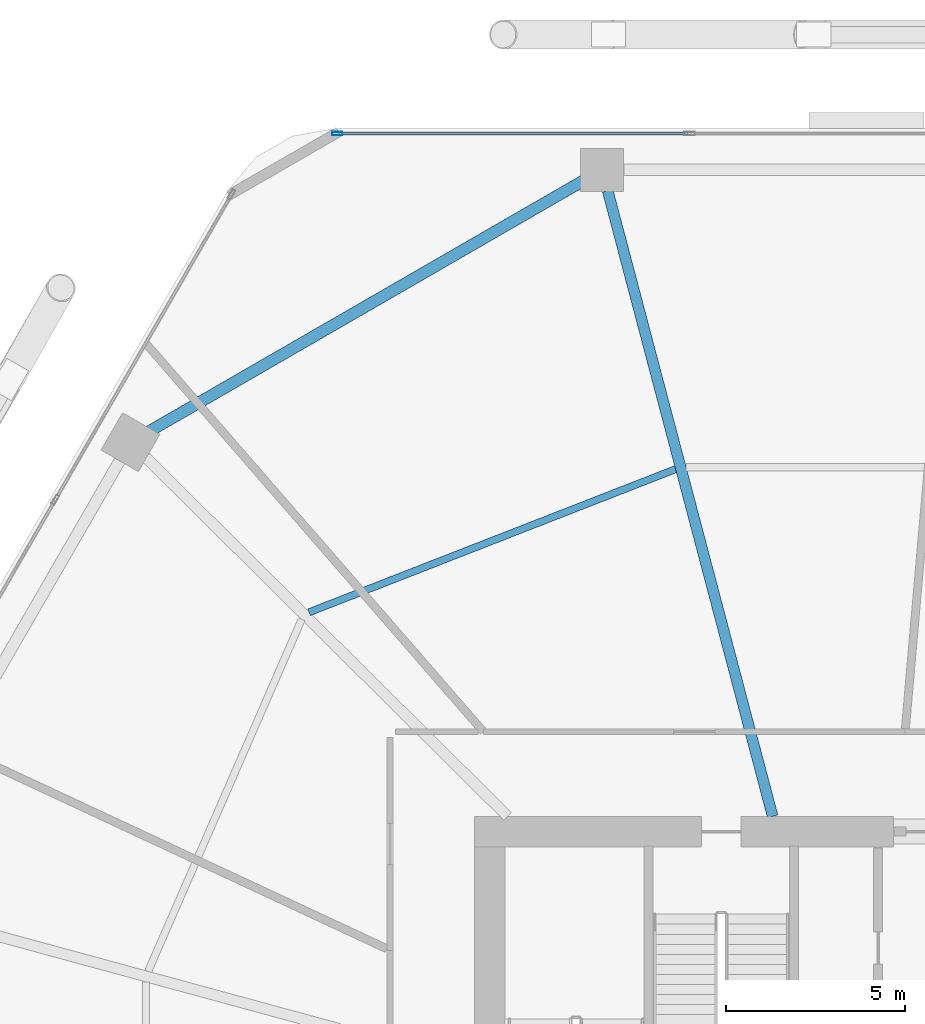
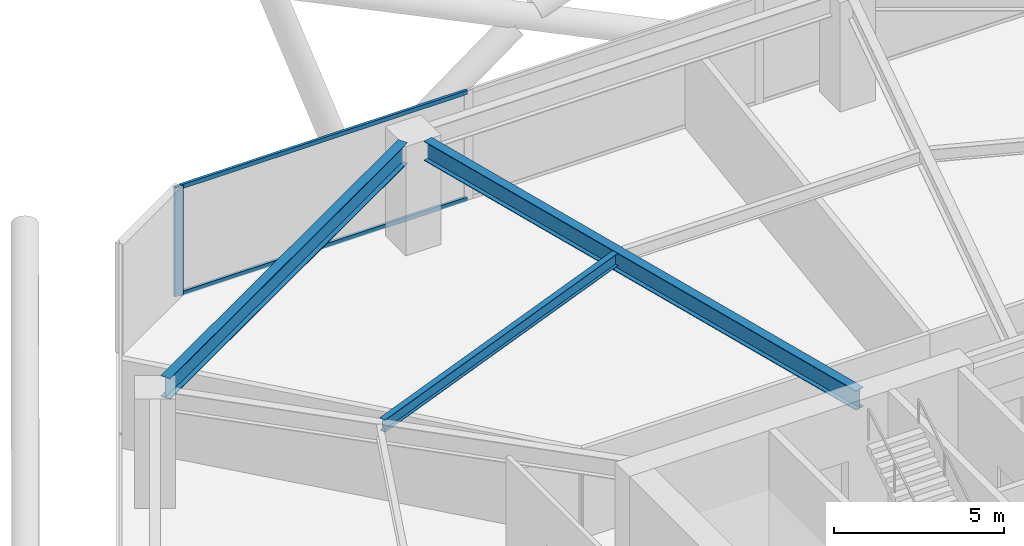
# One storey, part 16 of 30: 3 beams, 3 members, 1 element without a shape of its own.
"""IFC4 building model written with IfcOpenShell, lengths in metres."""

from ifc_helpers import new_model, si_unit, direction, frame, origin, origin_2d, place, context, subcontext, project, spatial, hollow_rectangle, i_section, extrude, material, material_profile, profile_set, type_object, element, aggregate, save


model = new_model("IFC4")

# Units and contexts
model_context = context("Model", 3, precision=1e-05, world=origin(), true_north=direction((0.0, 1.0)))
body_context = subcontext(model_context, "Body", "Model", "MODEL_VIEW")
ifc_project = project(units=[si_unit("LENGTHUNIT", "METRE"), si_unit("AREAUNIT", "SQUARE_METRE"), si_unit("VOLUMEUNIT", "CUBIC_METRE"), si_unit("PLANEANGLEUNIT", "RADIAN"), si_unit("MASSUNIT", "GRAM", prefix="KILO")], contexts=[model_context])

# Site, building, storey
site_placement = place(None, origin())
site = spatial("IfcSite", under=ifc_project, at=site_placement, CompositionType="ELEMENT")
building_placement = place(site_placement, origin())
building = spatial("IfcBuilding", under=site, at=building_placement, Name="Zuhravey Tower", CompositionType="ELEMENT")
storey_placement = place(building_placement, frame((0.0, 0.0, 16.199951171875)))
storey = spatial("IfcBuildingStorey", under=building, at=storey_placement, Name="L04", CompositionType="ELEMENT", Elevation=16.199951171875)

# Curtain wall, members
ifc_material_1 = material(Name="Thermally broken anodised aluminium", Category="aluminium")
curtain_wall_type = type_object("IfcCurtainWallType", Name="School Low-E Unitised Curtain Wall CW1", PredefinedType="NOTDEFINED", material=ifc_material_1)
curtain_wall_placement = place(storey_placement, origin())
curtain_wall = element("IfcCurtainWall", 1, at=curtain_wall_placement, inside=storey, type_object=curtain_wall_type, Name="L04 CW1 CW-L04-F2-1", PredefinedType="NOTDEFINED")
ifc_material_2 = material(Name="Anodised aluminium", Category="aluminium")
ifc_material_profile_1 = material_profile(ifc_material_2, hollow_rectangle(XDim=0.090087890625, YDim=0.284912109375, WallThickness=0.0048828125, at=origin_2d()), Name="ALU-RHS-90x285x5")
ifc_profile_set_1 = profile_set([ifc_material_profile_1], Name="Anodised aluminium")
member_type_1 = type_object("IfcMemberType", Name="Curtain-Wall Mullion 90x180", PredefinedType="MULLION", material=ifc_profile_set_1)
member_1_placement = place(storey_placement, frame((21.24560546875, 60.95849609375, 0.0), z_axis=(0.0, 0.0, 1.0), x_axis=(0.0, 1.0, 0.0)))
member_1 = element("IfcMember", 2, at=member_1_placement, type_object=member_type_1, Name="CW1 mullion 1", PredefinedType="MULLION", context=body_context, shape_type="SweptSolid", body=[
    extrude(hollow_rectangle(XDim=0.090087890625, YDim=0.284912109375, WallThickness=0.0048828125, at=origin_2d()), origin(), (0.0, 0.0, 1.0), 3.920166015625),
])
ifc_material_profile_2 = material_profile(ifc_material_2, hollow_rectangle(XDim=0.090087890625, YDim=0.14990234375, WallThickness=0.0048828125, at=origin_2d()), Name="ALU-RHS-90x150x5")
ifc_profile_set_2 = profile_set([ifc_material_profile_2], Name="Anodised aluminium")
member_type_2 = type_object("IfcMemberType", Name="Curtain-Wall Transom 90x150", PredefinedType="USERDEFINED", material=ifc_profile_set_2)
member_2_placement = place(storey_placement, frame((21.29052734375, 60.95849609375, 0.045166015625), z_axis=(1.0, 0.0, 0.0), x_axis=(0.0, 1.0, 0.0)))
member_2 = element("IfcMember", 3, at=member_2_placement, type_object=member_type_2, Name="CW1 transom 1.1", ObjectType="TRANSOM", PredefinedType="USERDEFINED", context=body_context, shape_type="SweptSolid", body=[
    extrude(hollow_rectangle(XDim=0.090087890625, YDim=0.14990234375, WallThickness=0.0048828125, at=origin_2d()), origin(), (0.0, 0.0, 1.0), 9.731201171875),
])
member_3_placement = place(storey_placement, frame((21.29052734375, 60.95849609375, 3.875), z_axis=(1.0, 0.0, 0.0), x_axis=(0.0, 1.0, 0.0)))
member_3 = element("IfcMember", 4, at=member_3_placement, type_object=member_type_2, Name="CW1 transom 1.2", ObjectType="TRANSOM", PredefinedType="USERDEFINED", context=body_context, shape_type="SweptSolid", body=[
    extrude(hollow_rectangle(XDim=0.090087890625, YDim=0.14990234375, WallThickness=0.0048828125, at=origin_2d()), origin(), (0.0, 0.0, 1.0), 9.731201171875),
])
aggregate(curtain_wall, [member_1, member_2, member_3])

# Beams
ifc_material_3 = material(Name="Steel SM355", Category="steel")
ifc_material_profile_3 = material_profile(ifc_material_3, i_section(OverallWidth=0.320068359375, OverallDepth=0.75, WebThickness=0.013916015625, FlangeThickness=0.02490234375, at=origin_2d()), Name="H-750x320x14x25")
ifc_profile_set_3 = profile_set([ifc_material_profile_3], Name="Steel SM355")
beam_type_1 = type_object("IfcBeamType", Name="Perimeter Ring Beam H750x320", PredefinedType="BEAM", material=ifc_profile_set_3)
beam_1_placement = place(storey_placement, frame((28.10791015625, 59.64697265625, 3.545166015625), z_axis=(-0.866029969761, -0.499992091414, 0.0), x_axis=(0.499992091414, -0.866029969761, 0.0)))
element("IfcBeam", 5, at=beam_1_placement, inside=storey, type_object=beam_type_1, Name="L04 PB1 BM-L04-PB-04", PredefinedType="BEAM", context=body_context, shape_type="SweptSolid", body=[
    extrude(i_section(OverallWidth=0.320068359375, OverallDepth=0.75, WebThickness=0.013916015625, FlangeThickness=0.02490234375, at=origin_2d()), origin(), (0.0, 0.0, 1.0), 13.977294921875),
])
ifc_material_profile_4 = material_profile(ifc_material_3, i_section(OverallWidth=0.300048828125, OverallDepth=0.699951171875, WebThickness=0.012939453125, FlangeThickness=0.02392578125, at=origin_2d()), Name="H-700x300x13x24")
ifc_profile_set_4 = profile_set([ifc_material_profile_4], Name="Steel SM355")
beam_type_2 = type_object("IfcBeamType", Name="Radial Primary Girder H700x300", PredefinedType="BEAM", material=ifc_profile_set_4)
beam_2_placement = place(storey_placement, frame((33.382080078125, 41.927978515625, 3.570068359375), z_axis=(-0.254989720435, 0.966943763862, 0.0), x_axis=(-0.966943763862, -0.254989720435, 0.0)))
element("IfcBeam", 6, at=beam_2_placement, inside=storey, type_object=beam_type_2, Name="L04 RG1 BM-L04-RAD-04", PredefinedType="BEAM", context=body_context, shape_type="SweptSolid", body=[
    extrude(i_section(OverallWidth=0.300048828125, OverallDepth=0.699951171875, WebThickness=0.012939453125, FlangeThickness=0.02392578125, at=origin_2d()), origin(), (0.0, 0.0, 1.0), 18.03369140625),
])
ifc_material_profile_5 = material_profile(ifc_material_3, i_section(OverallWidth=0.199951171875, OverallDepth=0.449951171875, WebThickness=0.009033203125, FlangeThickness=0.013916015625, at=origin_2d()), Name="H-450x200x9x14")
ifc_profile_set_5 = profile_set([ifc_material_profile_5], Name="Steel SM355")
beam_type_3 = type_object("IfcBeamType", Name="Secondary Floor Joist H450x200", PredefinedType="JOIST", material=ifc_profile_set_5)
beam_3_placement = place(storey_placement, frame((30.67236328125, 51.60302734375, 3.695068359375), z_axis=(-0.931516535886, -0.363698973562, 0.0), x_axis=(0.363698973562, -0.931516535886, 0.0)))
element("IfcBeam", 7, at=beam_3_placement, inside=storey, type_object=beam_type_3, Name="L04 SJ1 BM-L04-SJ-04-1", PredefinedType="JOIST", context=body_context, shape_type="SweptSolid", body=[
    extrude(i_section(OverallWidth=0.199951171875, OverallDepth=0.449951171875, WebThickness=0.009033203125, FlangeThickness=0.013916015625, at=origin_2d()), origin(), (0.0, 0.0, 1.0), 10.963134765625),
])

save(model, "model.ifc")
